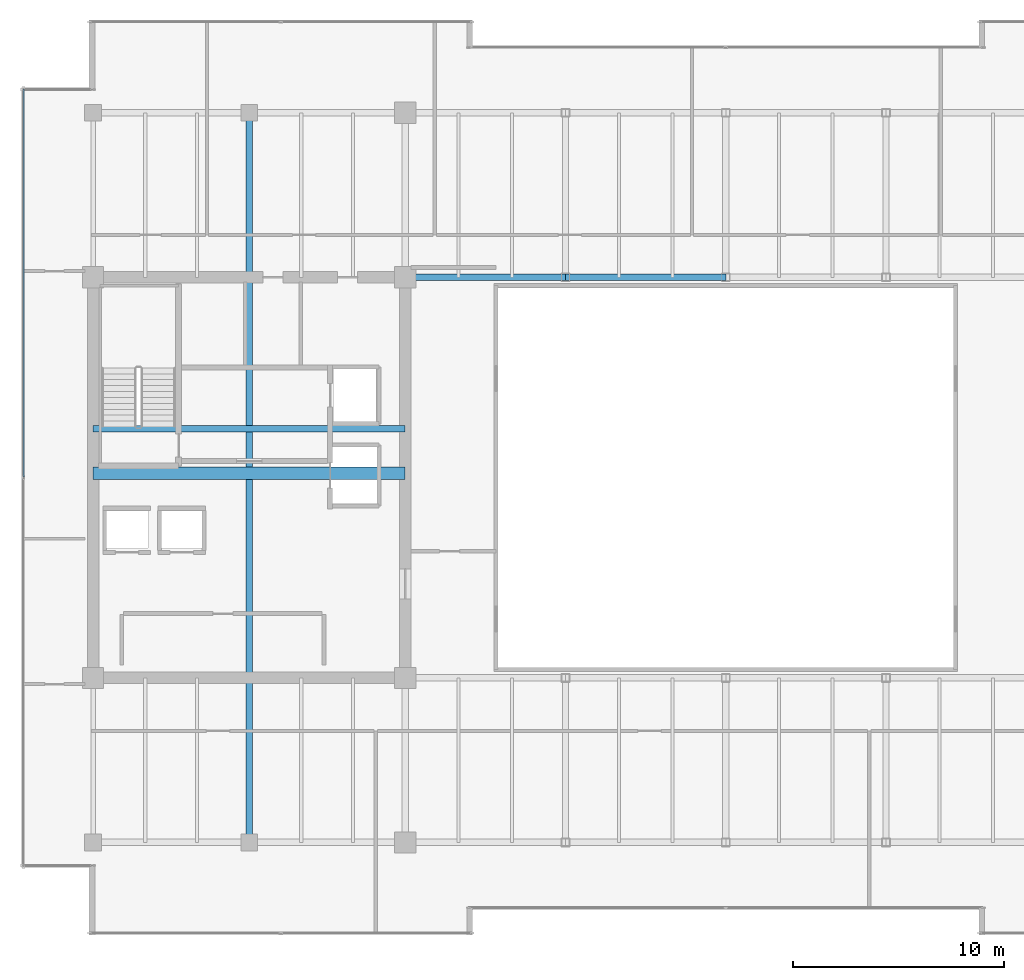
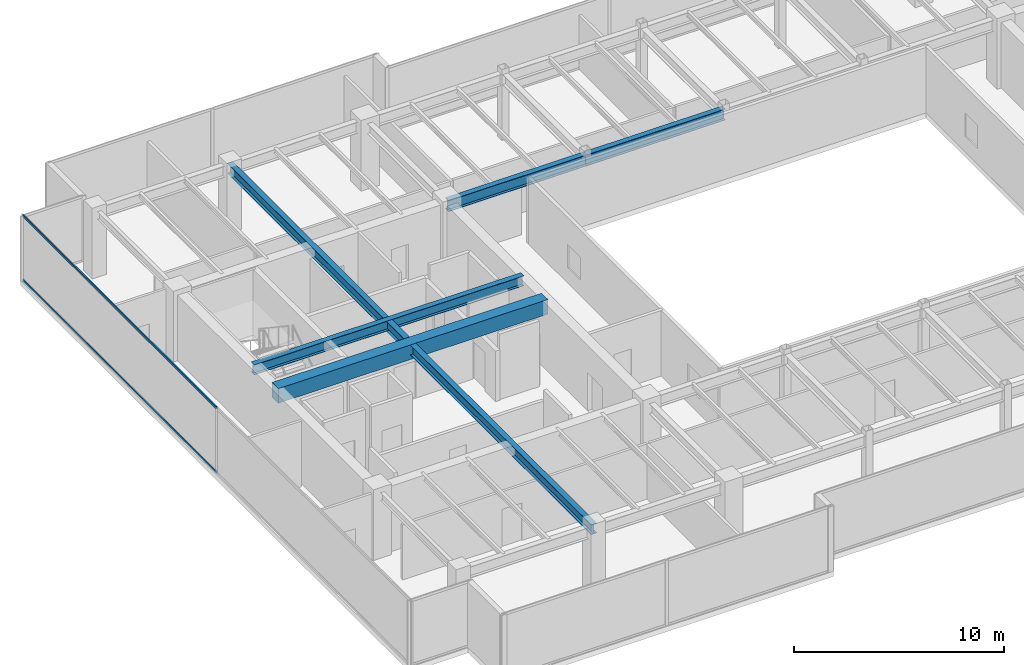
# One storey, part 10 of 33: 5 beams, 2 members, 1 element without a shape of its own.
"""IFC4 building model written with IfcOpenShell, lengths in metres."""

import ifcopenshell
import ifcopenshell.guid

model = None  # the IFC model being written
_history = None  # IfcOwnerHistory: only IFC2X3 demands one
_inside = {}  # id of a spatial element -> (the spatial element, [elements in it])
_under = {}  # id of a project, library or spatial element -> (it, [spatial elements below it])
_declared = {}  # id of a project -> (the project, [libraries it declares])
_typed = {}  # id of a type object -> (the type object, [elements of that type])
_made_of = {}  # id of a material, layer set ... -> (it, [elements and type objects made of it])


def new_model(schema):
    """Start an empty IFC model of exactly this schema.

    Asked for "IFC4X3", IfcOpenShell would pick the latest addendum, in which some entities
    have other attributes; the version numbers below select the first issue.
    IFC2X3 requires an IfcOwnerHistory on every rooted entity: one is made here for all.
    """
    global model, _history
    if schema == "IFC4X3":
        model = ifcopenshell.file(schema_version=(4, 3, 0, 0))
    else:
        model = ifcopenshell.file(schema=schema)
    _inside.clear()
    _under.clear()
    _declared.clear()
    _typed.clear()
    _made_of.clear()
    _history = None
    if model.schema == "IFC2X3":
        org = make("IfcOrganization", Name="unknown")
        user = make(
            "IfcPersonAndOrganization",
            ThePerson=make("IfcPerson", FamilyName="unknown"),
            TheOrganization=org,
        )
        app = make(
            "IfcApplication",
            ApplicationDeveloper=org,
            Version="unknown",
            ApplicationFullName="unknown",
            ApplicationIdentifier="unknown",
        )
        _history = make(
            "IfcOwnerHistory",
            OwningUser=user,
            OwningApplication=app,
            ChangeAction="ADDED",
            CreationDate=0,
        )
    return model


def make(cls, **values):
    """One entity of the class cls with the attributes given. An attribute that is None is left unset."""
    return model.create_entity(
        cls, **{name: value for name, value in values.items() if value is not None}
    )


def rooted(cls, **values):
    """An entity with a GlobalId (a new one), such as an element, a storey or a relation."""
    return make(cls, GlobalId=ifcopenshell.guid.new(), OwnerHistory=_history, **values)


def si_unit(unit_type, name, prefix=None):
    """IfcSIUnit, for example si_unit("LENGTHUNIT", "METRE", prefix="MILLI")."""
    return make("IfcSIUnit", UnitType=unit_type, Prefix=prefix, Name=name)


def assignment(units):
    """IfcUnitAssignment: the units of a project."""
    return None if units is None else make("IfcUnitAssignment", Units=units)


def point(xyz):
    """IfcCartesianPoint."""
    return None if xyz is None else make("IfcCartesianPoint", Coordinates=xyz)


def direction(xyz):
    """IfcDirection."""
    return None if xyz is None else make("IfcDirection", DirectionRatios=xyz)


def frame(location, z_axis=None, x_axis=None):
    """IfcAxis2Placement3D, a coordinate frame: its origin and axes. An axis left out is left unset."""
    return make(
        "IfcAxis2Placement3D",
        Location=point(location),
        Axis=direction(z_axis),
        RefDirection=direction(x_axis),
    )


def frame_2d(location, x_axis=None):
    """IfcAxis2Placement2D, a coordinate frame in the plane: its origin and x axis."""
    return make(
        "IfcAxis2Placement2D", Location=point(location), RefDirection=direction(x_axis)
    )


def origin():
    """The frame at (0, 0, 0) with its axes left unset."""
    return frame((0.0, 0.0, 0.0))


def origin_2d():
    """The frame at (0, 0) in the plane with its x axis left unset."""
    return frame_2d((0.0, 0.0))


def place(relative_to, where):
    """IfcLocalPlacement: puts the frame where relative to a parent placement (None: the world)."""
    return make(
        "IfcLocalPlacement", PlacementRelTo=relative_to, RelativePlacement=where
    )


def context(
    kind, dimensions, precision=None, world=None, true_north=None, identifier=None
):
    """IfcGeometricRepresentationContext, for example the 3D "Model" context."""
    return make(
        "IfcGeometricRepresentationContext",
        ContextIdentifier=identifier,
        ContextType=kind,
        CoordinateSpaceDimension=dimensions,
        Precision=precision,
        WorldCoordinateSystem=world,
        TrueNorth=true_north,
    )


def subcontext(parent, identifier, kind, view, scale=None):
    """IfcGeometricRepresentationSubContext, for example "Body" below "Model"."""
    return make(
        "IfcGeometricRepresentationSubContext",
        ContextIdentifier=identifier,
        ContextType=kind,
        ParentContext=parent,
        TargetScale=scale,
        TargetView=view,
    )


def project(units=None, contexts=None):
    """IfcProject with its units and contexts."""
    return rooted(
        "IfcProject",
        Name="project",
        RepresentationContexts=contexts,
        UnitsInContext=assignment(units),
    )


def spatial(cls, under=None, at=None, **own):
    """A site, building, storey or space (cls), placed at a placement, below another one or the project."""
    s = rooted(cls, ObjectPlacement=at, **own)
    if under is not None:
        _under.setdefault(under.id(), (under, []))[1].append(s)
    return s


def profile(cls, at=None, kind="AREA", **sizes):
    """A parametric profile (cls). Its sizes go by their IFC names, for example OverallWidth=200.0."""
    return make(cls, ProfileType=kind, Position=at, **sizes)


def rectangle(**sizes):
    """IfcRectangleProfileDef."""
    return profile("IfcRectangleProfileDef", **sizes)


def hollow_rectangle(**sizes):
    """IfcRectangleHollowProfileDef."""
    return profile("IfcRectangleHollowProfileDef", **sizes)


def i_section(**sizes):
    """IfcIShapeProfileDef."""
    return profile("IfcIShapeProfileDef", **sizes)


def extrude(swept, where, along, depth):
    """IfcExtrudedAreaSolid: the profile swept, set in the frame where, extruded along a direction by depth."""
    return make(
        "IfcExtrudedAreaSolid",
        SweptArea=swept,
        Position=where,
        ExtrudedDirection=direction(along),
        Depth=depth,
    )


def shape(context_of_items, identifier, shape_type, items):
    """IfcShapeRepresentation: the items that make up one representation, for example the "Body"."""
    return make(
        "IfcShapeRepresentation",
        ContextOfItems=context_of_items,
        RepresentationIdentifier=identifier,
        RepresentationType=shape_type,
        Items=items,
    )


def source(mapping_origin, context_of_items, identifier, shape_type, items):
    """IfcRepresentationMap: a shape defined once, which mapped items show again and again."""
    return make(
        "IfcRepresentationMap",
        MappingOrigin=mapping_origin,
        MappedRepresentation=shape(context_of_items, identifier, shape_type, items),
    )


def transform(
    local_origin,
    x_axis=None,
    y_axis=None,
    z_axis=None,
    scale=None,
    scale2=None,
    scale3=None,
    uniform=True,
):
    """IfcCartesianTransformationOperator3D, or its non-uniform kind. x_axis, y_axis, z_axis: its Axis1, 2, 3."""
    if uniform:
        return make(
            "IfcCartesianTransformationOperator3D",
            Axis1=direction(x_axis),
            Axis2=direction(y_axis),
            LocalOrigin=point(local_origin),
            Scale=scale,
            Axis3=direction(z_axis),
        )
    return make(
        "IfcCartesianTransformationOperator3DnonUniform",
        Axis1=direction(x_axis),
        Axis2=direction(y_axis),
        LocalOrigin=point(local_origin),
        Scale=scale,
        Axis3=direction(z_axis),
        Scale2=scale2,
        Scale3=scale3,
    )


def mapped(mapping_source, mapping_target):
    """IfcMappedItem: shows the shape of a source again, moved by a transform."""
    return make(
        "IfcMappedItem", MappingSource=mapping_source, MappingTarget=mapping_target
    )


def material(Name=None, Category=None):
    """IfcMaterial."""
    return make("IfcMaterial", Name=Name, Category=Category)


def layer(
    of_material, thickness, ventilated=None, Name=None, Category=None, Priority=None
):
    """IfcMaterialLayer: one layer of a wall or slab, of a material (None: an air gap)."""
    return make(
        "IfcMaterialLayer",
        Material=of_material,
        LayerThickness=thickness,
        IsVentilated=ventilated,
        Name=Name,
        Category=Category,
        Priority=Priority,
    )


def layer_set(layers, Name=None):
    """IfcMaterialLayerSet."""
    return make("IfcMaterialLayerSet", MaterialLayers=layers, LayerSetName=Name)


def material_profile(
    of_material, cross_section, Name=None, Category=None, Priority=None
):
    """IfcMaterialProfile: a cross section and its material."""
    return make(
        "IfcMaterialProfile",
        Name=Name,
        Material=of_material,
        Profile=cross_section,
        Priority=Priority,
        Category=Category,
    )


def profile_set(profiles, Name=None, composite=None):
    """IfcMaterialProfileSet."""
    return make(
        "IfcMaterialProfileSet",
        Name=Name,
        MaterialProfiles=profiles,
        CompositeProfile=composite,
    )


def made_of(thing, what):
    """Note that an element or type object is made of a material, layer set ...; save() writes the relation."""
    if what is not None:
        _made_of.setdefault(what.id(), (what, []))[1].append(thing)
    return thing


def type_object(cls, material=None, **own):
    """A type object (cls), such as IfcWallType, which elements share."""
    return made_of(rooted(cls, **own), material)


def type_shapes(of_type, sources):
    """Give a type object the sources (RepresentationMaps) that its elements show as mapped items."""
    of_type.RepresentationMaps = sources


def element(
    cls,
    number,
    at=None,
    inside=None,
    cuts=None,
    type_object=None,
    material=None,
    context=None,
    identifier="Body",
    shape_type=None,
    held_by="IfcProductDefinitionShape",
    body=None,
    shapes=None,
    **own,
):
    """One element of the class cls, such as IfcWall. Its Tag is "e" and its number.

    at: its placement. inside: the storey or other place that contains it. cuts: it is an
    opening in that element (IfcRelVoidsElement). A single representation is given by context,
    identifier, shape_type and body (its items); several are given by shapes. held_by: the class
    of the entity that holds the representations. save() writes the other relations.
    """
    e = rooted(cls, Tag="e%d" % number, ObjectPlacement=at, **own)
    if body is not None:
        shapes = [shape(context, identifier, shape_type, body)]
    if shapes is not None:
        e.Representation = make(held_by, Representations=shapes)
    if inside is not None:
        _inside.setdefault(inside.id(), (inside, []))[1].append(e)
    if cuts is not None:
        rooted(
            "IfcRelVoidsElement", RelatingBuildingElement=cuts, RelatedOpeningElement=e
        )
    if type_object is not None:
        _typed.setdefault(type_object.id(), (type_object, []))[1].append(e)
    return made_of(e, material)


def aggregate(whole, parts):
    """IfcRelAggregates: a whole, such as a stair, and the parts it consists of."""
    return rooted("IfcRelAggregates", RelatingObject=whole, RelatedObjects=parts)


def save(model, path):
    """Write the relations noted so far, then the file.

    IfcRelAggregates (storeys below a building ...), IfcRelContainedInSpatialStructure (elements
    in a storey), IfcRelDefinesByType, IfcRelAssociatesMaterial and IfcRelDeclares: one each for
    every whole, place, type object, material and project.
    """
    for whole, parts in _under.values():
        aggregate(whole, parts)
    for where, things in _inside.values():
        rooted(
            "IfcRelContainedInSpatialStructure",
            RelatedElements=things,
            RelatingStructure=where,
        )
    for kind, things in _typed.values():
        rooted("IfcRelDefinesByType", RelatedObjects=things, RelatingType=kind)
    for what, things in _made_of.values():
        rooted("IfcRelAssociatesMaterial", RelatedObjects=things, RelatingMaterial=what)
    for by, libraries in _declared.values():
        rooted("IfcRelDeclares", RelatingContext=by, RelatedDefinitions=libraries)
    model.write(path)


model = new_model("IFC4")

# Units and contexts
model_context = context("Model", 3, precision=1e-05, world=origin(), true_north=direction((0.0, 1.0)))
body_context = subcontext(model_context, "Body", "Model", "MODEL_VIEW")
ifc_project = project(units=[si_unit("LENGTHUNIT", "METRE"), si_unit("AREAUNIT", "SQUARE_METRE"), si_unit("VOLUMEUNIT", "CUBIC_METRE"), si_unit("PLANEANGLEUNIT", "RADIAN"), si_unit("MASSUNIT", "GRAM", prefix="KILO")], contexts=[model_context])

# Site, building, storey
site_placement = place(None, origin())
site = spatial("IfcSite", under=ifc_project, at=site_placement, CompositionType="ELEMENT")
building_placement = place(site_placement, origin())
building = spatial("IfcBuilding", under=site, at=building_placement, Name="Haelvirn Gate Laboratories", CompositionType="ELEMENT")
storey_placement = place(building_placement, frame((0.0, 0.0, 230.10009765625)))
storey = spatial("IfcBuildingStorey", under=building, at=storey_placement, Name="L55", CompositionType="ELEMENT", Elevation=230.10009765625)

# Beams
ifc_material_1 = material(Name="Steel SM355", Category="steel")
ifc_material_profile_1 = material_profile(ifc_material_1, i_section(OverallWidth=0.300048828125, OverallDepth=0.587890625, WebThickness=0.011962890625, FlangeThickness=0.02001953125, at=origin_2d()), Name="H-588x300x12x20")
ifc_profile_set_1 = profile_set([ifc_material_profile_1], Name="Steel SM355")
beam_type_1 = type_object("IfcBeamType", Name="BM-G-588", PredefinedType="BEAM", material=ifc_profile_set_1)
shared_shape_1 = source(origin(), body_context, "Body", "SweptSolid", [
    extrude(i_section(OverallWidth=0.300048828125, OverallDepth=0.587890625, WebThickness=0.011962890625, FlangeThickness=0.02001953125, at=origin_2d()), origin(), (0.0, 0.0, 1.0), 14.800048828125),
])
beam_1_placement = place(storey_placement, frame((7.39990234375, 26.6201171875, 3.505859375), z_axis=(1.0, 0.0, 0.0), x_axis=(0.0, 1.0, 0.0)))
element("IfcBeam", 1, at=beam_1_placement, inside=storey, type_object=beam_type_1, Name="L55 Stair ST1 Landing Header", PredefinedType="BEAM", context=body_context, shape_type="MappedRepresentation", body=[
    mapped(shared_shape_1, transform((0.0, 0.0, 0.0), scale=1.0)),
])
shared_shape_2 = source(origin(), body_context, "Body", "SweptSolid", [
    extrude(i_section(OverallWidth=0.300048828125, OverallDepth=0.587890625, WebThickness=0.011962890625, FlangeThickness=0.02001953125, at=origin_2d()), origin(), (0.0, 0.0, 1.0), 34.60009765625),
])
type_shapes(beam_type_1, [shared_shape_1, shared_shape_2])
beam_2_placement = place(storey_placement, frame((14.800048828125, 7.0, 3.505859375), z_axis=(0.0, 1.0, 0.0), x_axis=(-1.0, 0.0, 0.0)))
element("IfcBeam", 2, at=beam_2_placement, inside=storey, type_object=beam_type_1, Name="L55 Frame Girder X14.8 (7.0-41.6)", PredefinedType="BEAM", context=body_context, shape_type="MappedRepresentation", body=[
    mapped(shared_shape_2, transform((0.0, 0.0, 0.0), scale=1.0)),
])
ifc_material_2 = material(Name="Concrete C50/60", Category="concrete")
ifc_material_profile_2 = material_profile(ifc_material_2, rectangle(XDim=0.60009765625, YDim=0.85009765625, at=origin_2d()), Name="RCB-600x850")
ifc_profile_set_2 = profile_set([ifc_material_profile_2], Name="Concrete C50/60")
beam_type_2 = type_object("IfcBeamType", Name="BM-RCB-850", PredefinedType="LINTEL", material=ifc_profile_set_2)
shared_shape_3 = source(origin(), body_context, "Body", "SweptSolid", [
    extrude(rectangle(XDim=0.60009765625, YDim=0.85009765625, at=origin_2d()), origin(), (0.0, 0.0, 1.0), 14.800048828125),
])
type_shapes(beam_type_2, [shared_shape_3])
beam_3_placement = place(storey_placement, frame((7.39990234375, 24.5, 3.375), z_axis=(1.0, 0.0, 0.0), x_axis=(0.0, 1.0, 0.0)))
element("IfcBeam", 3, at=beam_3_placement, inside=storey, type_object=beam_type_2, Name="L55 West Core Coupling Beam", PredefinedType="LINTEL", context=body_context, shape_type="MappedRepresentation", body=[
    mapped(shared_shape_3, transform((0.0, 0.0, 0.0), scale=1.0)),
])
ifc_material_profile_3 = material_profile(ifc_material_1, i_section(OverallWidth=0.300048828125, OverallDepth=0.64990234375, WebThickness=0.012939453125, FlangeThickness=0.02197265625, at=origin_2d()), Name="H-650x300x13x22")
ifc_profile_set_3 = profile_set([ifc_material_profile_3], Name="Steel SM355")
beam_type_3 = type_object("IfcBeamType", Name="BM-G-650", PredefinedType="BEAM", material=ifc_profile_set_3)
shared_shape_4 = source(origin(), body_context, "Body", "SweptSolid", [
    extrude(i_section(OverallWidth=0.300048828125, OverallDepth=0.64990234375, WebThickness=0.012939453125, FlangeThickness=0.02197265625, at=origin_2d()), origin(), (0.0, 0.0, 1.0), 7.60009765625),
])
beam_4_placement = place(storey_placement, frame((22.199951171875, 33.800048828125, 3.474853515625), z_axis=(1.0, 0.0, 0.0), x_axis=(0.0, 1.0, 0.0)))
element("IfcBeam", 4, at=beam_4_placement, inside=storey, type_object=beam_type_3, Name="L55 Primary Girder Y33.8 (22.2-29.8)", PredefinedType="BEAM", context=body_context, shape_type="MappedRepresentation", body=[
    mapped(shared_shape_4, transform((0.0, 0.0, 0.0), scale=1.0)),
])
shared_shape_5 = source(origin(), body_context, "Body", "SweptSolid", [
    extrude(i_section(OverallWidth=0.300048828125, OverallDepth=0.64990234375, WebThickness=0.012939453125, FlangeThickness=0.02197265625, at=origin_2d()), origin(), (0.0, 0.0, 1.0), 7.599853515625),
])
type_shapes(beam_type_3, [shared_shape_4, shared_shape_5])
beam_5_placement = place(storey_placement, frame((29.800048828125, 33.800048828125, 3.474853515625), z_axis=(1.0, 0.0, 0.0), x_axis=(0.0, 1.0, 0.0)))
element("IfcBeam", 5, at=beam_5_placement, inside=storey, type_object=beam_type_3, Name="L55 Primary Girder Y33.8 (29.8-37.4)", PredefinedType="BEAM", context=body_context, shape_type="MappedRepresentation", body=[
    mapped(shared_shape_5, transform((0.0, 0.0, 0.0), scale=1.0)),
])

# Curtain wall, members
ifc_material_3 = material(Name="Anodised bronze unitised aluminium & triple low-E glass", Category="aluminium")
ifc_layer = layer(ifc_material_3, 0.176025390625, Name="CW-SYS-4")
ifc_layer_set = layer_set([ifc_layer], Name="Anodised bronze unitised aluminium & triple low-E glass")
curtain_wall_type = type_object("IfcCurtainWallType", Name="CW-SYS-4", PredefinedType="NOTDEFINED", material=ifc_layer_set)
curtain_wall_placement = place(storey_placement, origin())
curtain_wall = element("IfcCurtainWall", 6, at=curtain_wall_placement, inside=storey, type_object=curtain_wall_type, Name="L55 Unitised Curtain Wall CW-L55-P0-E17", PredefinedType="NOTDEFINED")
ifc_material_4 = material(Name="Extruded aluminium 6063-T6 (anodised bronze)", Category="aluminium")
ifc_material_profile_4 = material_profile(ifc_material_4, hollow_rectangle(XDim=0.06494140625, YDim=0.139892578125, WallThickness=0.00390625, at=origin_2d()), Name="CWT-140x65x4")
ifc_profile_set_4 = profile_set([ifc_material_profile_4], Name="Extruded aluminium 6063-T6 (anodised bronze)")
member_type = type_object("IfcMemberType", Name="CWT-T140", PredefinedType="USERDEFINED", material=ifc_profile_set_4)
shared_shape_6 = source(origin(), body_context, "Body", "SweptSolid", [
    extrude(hollow_rectangle(XDim=0.06494140625, YDim=0.139892578125, WallThickness=0.00390625, at=origin_2d()), origin(), (0.0, 0.0, 1.0), 18.39501953125),
])
type_shapes(member_type, [shared_shape_6])
member_1_placement = place(storey_placement, frame((4.10009765625, 42.72998046875, 0.032470703125), z_axis=(0.0, -1.0, 0.0), x_axis=(1.0, 0.0, 0.0)))
member_1 = element("IfcMember", 7, at=member_1_placement, type_object=member_type, Name="CW4 transom 1.1", ObjectType="TRANSOM", PredefinedType="USERDEFINED", context=body_context, shape_type="MappedRepresentation", body=[
    mapped(shared_shape_6, transform((0.0, 0.0, 0.0), scale=1.0)),
])
member_2_placement = place(storey_placement, frame((4.10009765625, 42.72998046875, 3.767333984375), z_axis=(0.0, -1.0, 0.0), x_axis=(1.0, 0.0, 0.0)))
member_2 = element("IfcMember", 8, at=member_2_placement, type_object=member_type, Name="CW4 transom 1.2", ObjectType="TRANSOM", PredefinedType="USERDEFINED", context=body_context, shape_type="MappedRepresentation", body=[
    mapped(shared_shape_6, transform((0.0, 0.0, 0.0), scale=1.0)),
])
aggregate(curtain_wall, [member_1, member_2])

save(model, "model.ifc")
